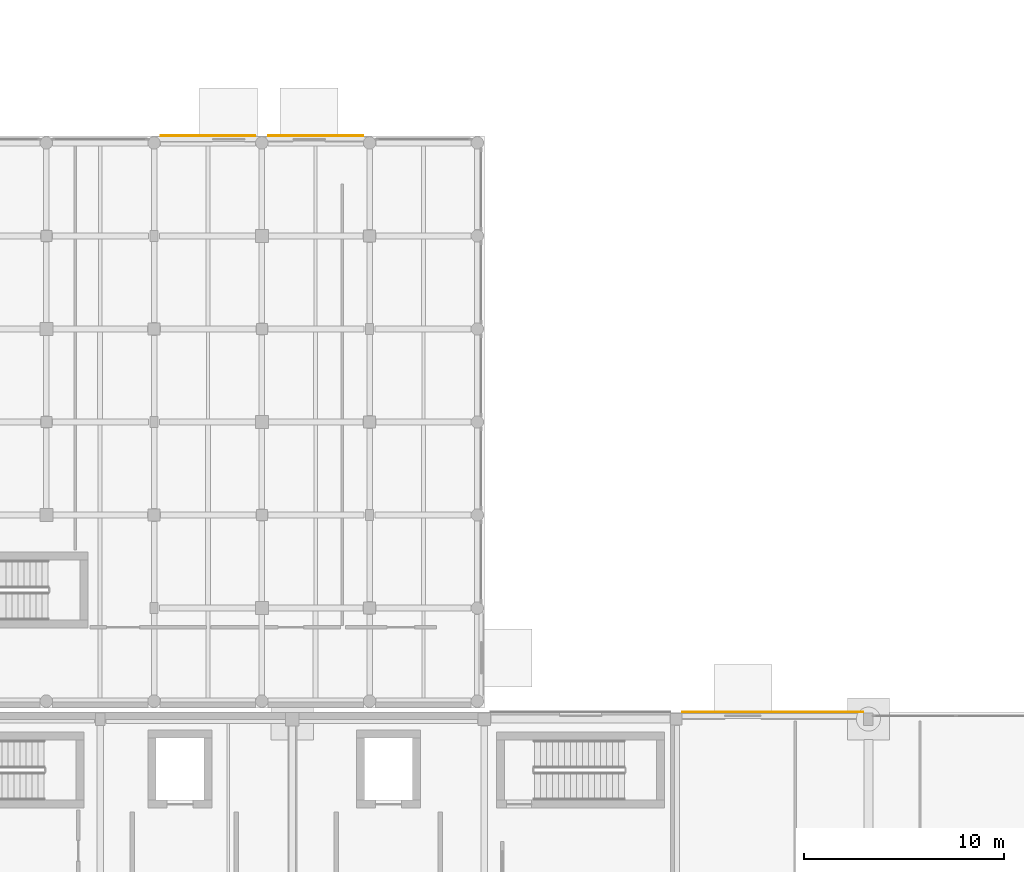
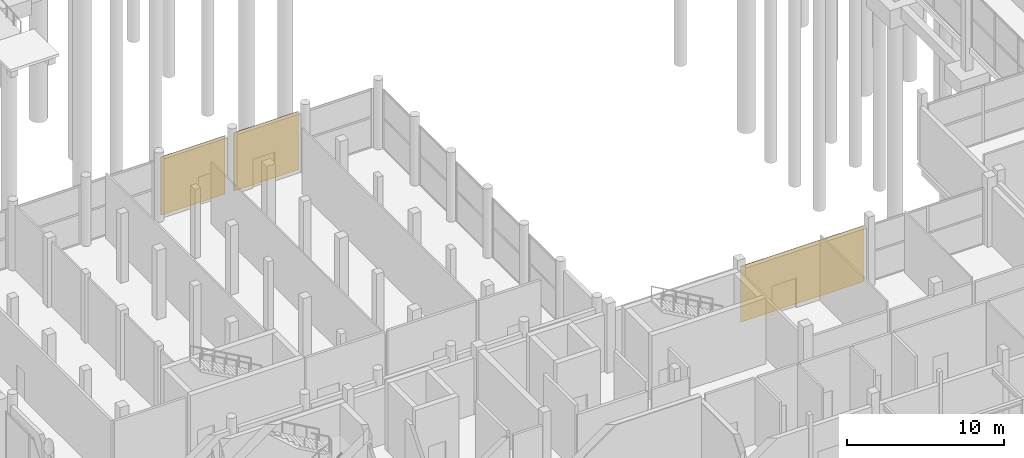
# One storey, part 82 of 88: 3 coverings.
"""IFC4 building model written with IfcOpenShell, lengths in metres."""

from ifc_helpers import new_model, si_unit, direction, frame, origin, origin_2d, place, context, subcontext, project, spatial, rectangle, extrude, material, layer, layer_set, type_object, element, save


model = new_model("IFC4")

# Units and contexts
model_context = context("Model", 3, precision=1e-05, world=origin(), true_north=direction((0.0, 1.0)))
body_context = subcontext(model_context, "Body", "Model", "MODEL_VIEW")
ifc_project = project(units=[si_unit("LENGTHUNIT", "METRE"), si_unit("AREAUNIT", "SQUARE_METRE"), si_unit("VOLUMEUNIT", "CUBIC_METRE"), si_unit("PLANEANGLEUNIT", "RADIAN"), si_unit("MASSUNIT", "GRAM", prefix="KILO")], contexts=[model_context])

# Site, building, storey
site_placement = place(None, origin())
site = spatial("IfcSite", under=ifc_project, at=site_placement, CompositionType="ELEMENT")
building_placement = place(site_placement, origin())
building = spatial("IfcBuilding", under=site, at=building_placement, Name="Birchvale Park Specialist Clinic", CompositionType="ELEMENT")
storey_placement = place(building_placement, origin())
storey = spatial("IfcBuildingStorey", under=building, at=storey_placement, Name="L00", CompositionType="ELEMENT", Elevation=0.0)

# Coverings
ifc_material = material(Name="Nordic larch vertical rainscreen cladding")
ifc_layer = layer(ifc_material, 0.044921875)
ifc_layer_set = layer_set([ifc_layer], Name="Nordic larch vertical rainscreen cladding")
covering_type = type_object("IfcCoveringType", Name="COV-CL1", PredefinedType="CLADDING", material=ifc_layer_set)
for number, where, z_axis, x_axis, name in (
    (1, (81.771484375, 63.402587890625, 0.02001953125), (0.0, 0.0, 1.0), (-1.0, 0.0, 0.0), "V1 L00 Nordic larch cladding 1"),
    (2, (76.3857421875, 63.402587890625, 0.02001953125), (0.0, 0.0, 1.0), (-1.0, 0.0, 0.0), "V1 L00 Nordic larch cladding 2"),
):
    element("IfcCovering", number, at=place(storey_placement, frame(where, z_axis=z_axis, x_axis=x_axis)), inside=storey, type_object=covering_type, Name=name, PredefinedType="CLADDING", context=body_context, shape_type="SweptSolid", body=[
        extrude(rectangle(XDim=4.735595703125, YDim=0.044921875, at=origin_2d()), origin(), (0.0, 0.0, 1.0), 4.534912109375),
    ])
covering_placement = place(storey_placement, frame((104.62744140625, 34.6025390625, 0.02001953125), z_axis=(0.0, 0.0, 1.0), x_axis=(-1.0, 0.0, 0.0)))
element("IfcCovering", 3, at=covering_placement, inside=storey, type_object=covering_type, Name="V4 L00 Nordic larch cladding 7", PredefinedType="CLADDING", context=body_context, shape_type="SweptSolid", body=[
    extrude(rectangle(XDim=9.044921875, YDim=0.044921875, at=origin_2d()), origin(), (0.0, 0.0, 1.0), 4.344970703125),
])

save(model, "model.ifc")
